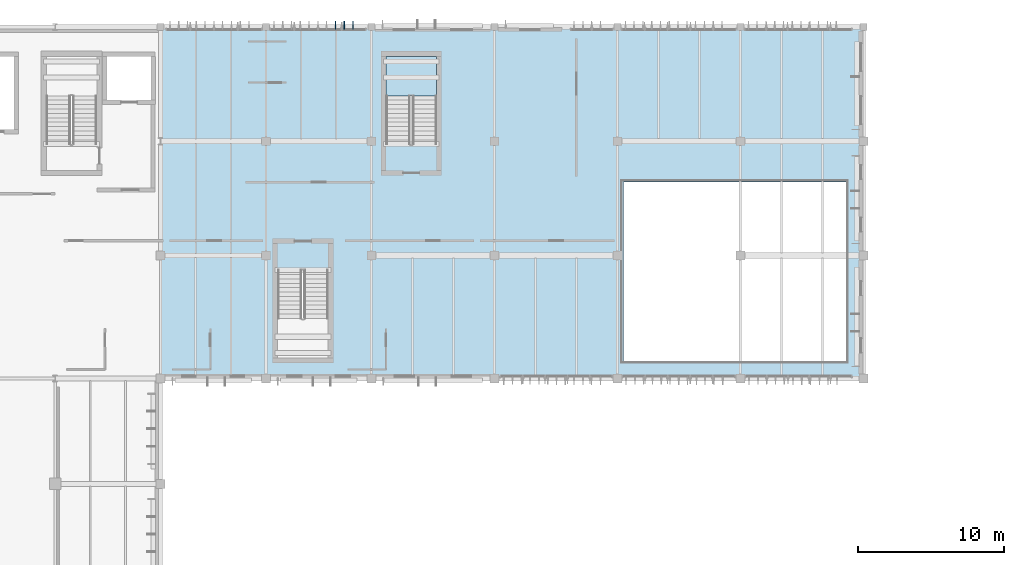
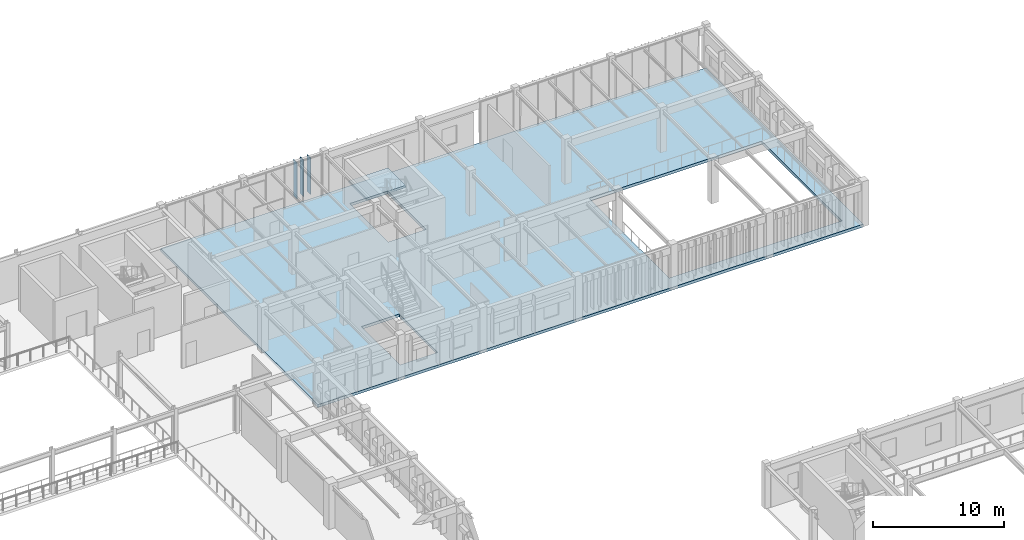
# One storey, part 30 of 122: 3 plates, 2 slabs, 1 element without a shape of its own.
"""IFC4 building model written with IfcOpenShell, lengths in metres."""

from ifc_helpers import new_model, si_unit, direction, frame, origin, origin_2d, place, context, subcontext, project, spatial, polyline, rectangle, outline, extrude, material, layer, layer_set, type_object, element, aggregate, save


model = new_model("IFC4")

# Units and contexts
model_context = context("Model", 3, precision=1e-05, world=origin(), true_north=direction((0.0, 1.0)))
body_context = subcontext(model_context, "Body", "Model", "MODEL_VIEW")
ifc_project = project(units=[si_unit("LENGTHUNIT", "METRE"), si_unit("AREAUNIT", "SQUARE_METRE"), si_unit("VOLUMEUNIT", "CUBIC_METRE"), si_unit("PLANEANGLEUNIT", "RADIAN"), si_unit("MASSUNIT", "GRAM", prefix="KILO")], contexts=[model_context])

# Site, building, storey
site_placement = place(None, origin())
site = spatial("IfcSite", under=ifc_project, at=site_placement, CompositionType="ELEMENT")
building_placement = place(site_placement, origin())
building = spatial("IfcBuilding", under=site, at=building_placement, Name="Tazoul Stagehouse", CompositionType="ELEMENT")
storey_placement = place(building_placement, frame((0.0, 0.0, 4.800048828125)))
storey = spatial("IfcBuildingStorey", under=building, at=storey_placement, Name="L01", CompositionType="ELEMENT", Elevation=4.800048828125)

# Stair, slab
ifc_material_1 = material(Name="Concrete C40/50", Category="concrete")
stair_type = type_object("IfcStairType", Name="Protected Core Dogleg Stair 4200", PredefinedType="HALF_TURN_STAIR", material=ifc_material_1)
stair_placement = place(storey_placement, origin())
stair = element("IfcStair", 1, at=stair_placement, inside=storey, type_object=stair_type, Name="L01 Core Escape Stair ST-02", PredefinedType="HALF_TURN_STAIR")
ifc_layer_1 = layer(ifc_material_1, 0.179931640625, Name="Concrete C40/50")
ifc_layer_set_1 = layer_set([ifc_layer_1], Name="Concrete C40/50")
slab_type_1 = type_object("IfcSlabType", Name="Core Half-Landing Slab 180", PredefinedType="LANDING", material=ifc_layer_set_1)
slab_1_placement = place(storey_placement, frame((0.0, 0.0, 1.89990234375)))
slab_1 = element("IfcSlab", 2, at=slab_1_placement, type_object=slab_type_1, Name="ST-02 landing 1", PredefinedType="LANDING", context=body_context, shape_type="SweptSolid", body=[
    extrude(outline(polyline([(121.449951171875, 107.10009765625), (121.449951171875, 109.800048828125), (118.0, 109.800048828125), (118.0, 107.10009765625), (121.449951171875, 107.10009765625)])), origin(), (0.0, 0.0, 1.0), 0.199951171875),
])
aggregate(stair, [slab_1])

# Plates
ifc_material_2 = material(Name="Anodised Bronze Aluminium 6063-T6", Category="aluminium")
ifc_layer_2 = layer(ifc_material_2, 0.5400390625, Name="Anodised Bronze Aluminium 6063-T6")
ifc_layer_set_2 = layer_set([ifc_layer_2], Name="Anodised Bronze Aluminium 6063-T6")
plate_type = type_object("IfcPlateType", Name="Parametric Terracotta-Bronze Solar Fin 540x3400", PredefinedType="USERDEFINED", material=ifc_layer_set_2)
for number, where, z_axis, x_axis, name in (
    (3, (114.5400390625, 111.929931640625, 0.489990234375), (0.0, 0.0, 1.0), (1.0, 0.0, 0.0), "L01 Parametric Solar Fin SFN-20 (CW-V3-N1-L01-B2-08)"),
    (4, (115.139892578125, 111.929931640625, 0.489990234375), (0.0, 0.0, 1.0), (1.0, 0.0, 0.0), "L01 Parametric Solar Fin SFN-20 (CW-V3-N1-L01-B2-09)"),
    (5, (115.739990234375, 111.929931640625, 0.489990234375), (0.0, 0.0, 1.0), (1.0, 0.0, 0.0), "L01 Parametric Solar Fin SFN-20 (CW-V3-N1-L01-B2-10)"),
):
    element("IfcPlate", number, at=place(storey_placement, frame(where, z_axis=z_axis, x_axis=x_axis)), inside=storey, type_object=plate_type, Name=name, ObjectType="SOLAR FIN", PredefinedType="USERDEFINED", context=body_context, shape_type="SweptSolid", body=[
        extrude(rectangle(XDim=0.044921875, YDim=0.5400390625, at=origin_2d()), origin(), (0.0, 0.0, 1.0), 3.39990234375),
    ])

# Slab
ifc_material_3 = material(Name="Concrete C35/45", Category="concrete")
ifc_layer_3 = layer(ifc_material_3, 0.260009765625, Name="Concrete C35/45")
ifc_layer_set_3 = layer_set([ifc_layer_3], Name="Concrete C35/45")
slab_type_2 = type_object("IfcSlabType", Name="Suspended Floor Slab 260", PredefinedType="FLOOR", material=ifc_layer_set_3)
slab_2_placement = place(storey_placement, frame((0.0, 0.0, -0.260009765625)))
element("IfcSlab", 6, at=slab_2_placement, inside=storey, type_object=slab_type_2, Name="L01 Suspended Floor Slab 260 (V3)", PredefinedType="FLOOR", context=body_context, shape_type="SweptSolid", body=[
    extrude(outline(polyline([(102.60009765625, 87.800048828125), (102.60009765625, 111.800048828125), (150.60009765625, 111.800048828125), (150.60009765625, 87.800048828125), (102.60009765625, 87.800048828125)]), holes=[polyline([(113.989990234375, 95.139892578125), (113.989990234375, 89.260009765625), (110.659912109375, 89.260009765625), (110.659912109375, 95.139892578125), (113.989990234375, 95.139892578125)]), polyline([(149.39990234375, 101.199951171875), (149.39990234375, 89.0), (134.199951171875, 89.0), (134.199951171875, 101.199951171875), (149.39990234375, 101.199951171875)]), polyline([(118.06005859375, 103.860107421875), (118.06005859375, 109.739990234375), (121.389892578125, 109.739990234375), (121.389892578125, 103.860107421875), (118.06005859375, 103.860107421875)])]), origin(), (0.0, 0.0, 1.0), 0.260009765625),
])

save(model, "model.ifc")
